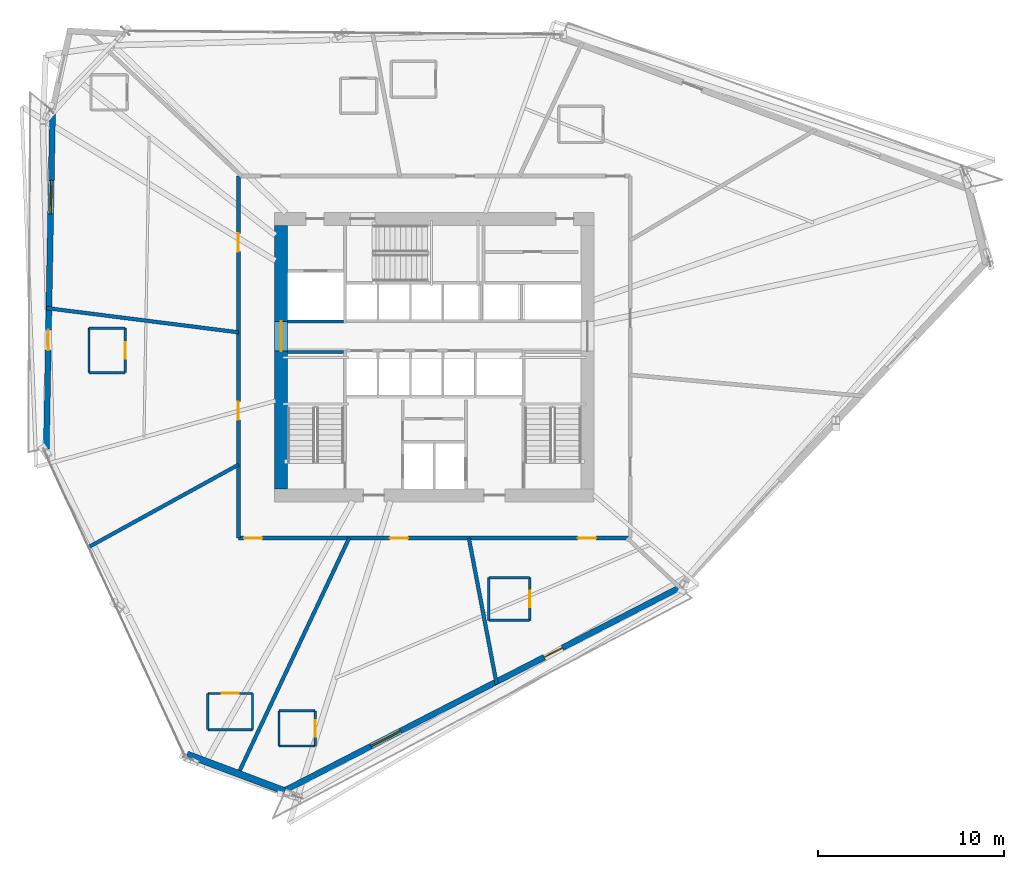
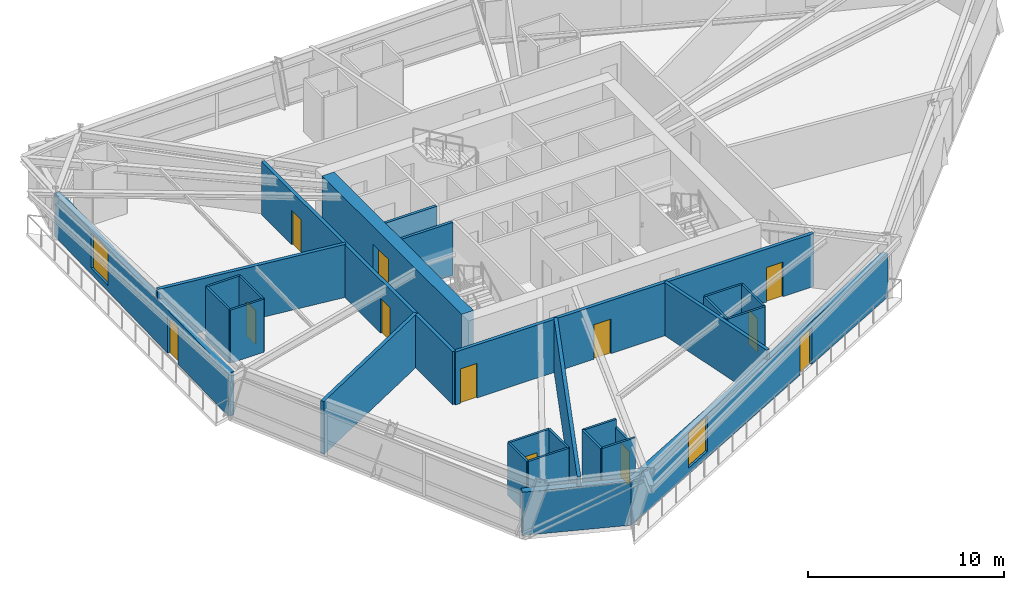
# One storey, part 15 of 22: 28 walls, 12 doors, 2 windows, 14 openings.
"""IFC4 building model written with IfcOpenShell, lengths in metres."""

import ifcopenshell
import ifcopenshell.guid

model = None  # the IFC model being written
_history = None  # IfcOwnerHistory: only IFC2X3 demands one
_inside = {}  # id of a spatial element -> (the spatial element, [elements in it])
_under = {}  # id of a project, library or spatial element -> (it, [spatial elements below it])
_declared = {}  # id of a project -> (the project, [libraries it declares])
_typed = {}  # id of a type object -> (the type object, [elements of that type])
_made_of = {}  # id of a material, layer set ... -> (it, [elements and type objects made of it])


def new_model(schema):
    """Start an empty IFC model of exactly this schema.

    Asked for "IFC4X3", IfcOpenShell would pick the latest addendum, in which some entities
    have other attributes; the version numbers below select the first issue.
    IFC2X3 requires an IfcOwnerHistory on every rooted entity: one is made here for all.
    """
    global model, _history
    if schema == "IFC4X3":
        model = ifcopenshell.file(schema_version=(4, 3, 0, 0))
    else:
        model = ifcopenshell.file(schema=schema)
    _inside.clear()
    _under.clear()
    _declared.clear()
    _typed.clear()
    _made_of.clear()
    _history = None
    if model.schema == "IFC2X3":
        org = make("IfcOrganization", Name="unknown")
        user = make(
            "IfcPersonAndOrganization",
            ThePerson=make("IfcPerson", FamilyName="unknown"),
            TheOrganization=org,
        )
        app = make(
            "IfcApplication",
            ApplicationDeveloper=org,
            Version="unknown",
            ApplicationFullName="unknown",
            ApplicationIdentifier="unknown",
        )
        _history = make(
            "IfcOwnerHistory",
            OwningUser=user,
            OwningApplication=app,
            ChangeAction="ADDED",
            CreationDate=0,
        )
    return model


def make(cls, **values):
    """One entity of the class cls with the attributes given. An attribute that is None is left unset."""
    return model.create_entity(
        cls, **{name: value for name, value in values.items() if value is not None}
    )


def rooted(cls, **values):
    """An entity with a GlobalId (a new one), such as an element, a storey or a relation."""
    return make(cls, GlobalId=ifcopenshell.guid.new(), OwnerHistory=_history, **values)


def si_unit(unit_type, name, prefix=None):
    """IfcSIUnit, for example si_unit("LENGTHUNIT", "METRE", prefix="MILLI")."""
    return make("IfcSIUnit", UnitType=unit_type, Prefix=prefix, Name=name)


def assignment(units):
    """IfcUnitAssignment: the units of a project."""
    return None if units is None else make("IfcUnitAssignment", Units=units)


def point(xyz):
    """IfcCartesianPoint."""
    return None if xyz is None else make("IfcCartesianPoint", Coordinates=xyz)


def direction(xyz):
    """IfcDirection."""
    return None if xyz is None else make("IfcDirection", DirectionRatios=xyz)


def frame(location, z_axis=None, x_axis=None):
    """IfcAxis2Placement3D, a coordinate frame: its origin and axes. An axis left out is left unset."""
    return make(
        "IfcAxis2Placement3D",
        Location=point(location),
        Axis=direction(z_axis),
        RefDirection=direction(x_axis),
    )


def frame_2d(location, x_axis=None):
    """IfcAxis2Placement2D, a coordinate frame in the plane: its origin and x axis."""
    return make(
        "IfcAxis2Placement2D", Location=point(location), RefDirection=direction(x_axis)
    )


def origin():
    """The frame at (0, 0, 0) with its axes left unset."""
    return frame((0.0, 0.0, 0.0))


def place(relative_to, where):
    """IfcLocalPlacement: puts the frame where relative to a parent placement (None: the world)."""
    return make(
        "IfcLocalPlacement", PlacementRelTo=relative_to, RelativePlacement=where
    )


def context(
    kind, dimensions, precision=None, world=None, true_north=None, identifier=None
):
    """IfcGeometricRepresentationContext, for example the 3D "Model" context."""
    return make(
        "IfcGeometricRepresentationContext",
        ContextIdentifier=identifier,
        ContextType=kind,
        CoordinateSpaceDimension=dimensions,
        Precision=precision,
        WorldCoordinateSystem=world,
        TrueNorth=true_north,
    )


def subcontext(parent, identifier, kind, view, scale=None):
    """IfcGeometricRepresentationSubContext, for example "Body" below "Model"."""
    return make(
        "IfcGeometricRepresentationSubContext",
        ContextIdentifier=identifier,
        ContextType=kind,
        ParentContext=parent,
        TargetScale=scale,
        TargetView=view,
    )


def project(units=None, contexts=None):
    """IfcProject with its units and contexts."""
    return rooted(
        "IfcProject",
        Name="project",
        RepresentationContexts=contexts,
        UnitsInContext=assignment(units),
    )


def spatial(cls, under=None, at=None, **own):
    """A site, building, storey or space (cls), placed at a placement, below another one or the project."""
    s = rooted(cls, ObjectPlacement=at, **own)
    if under is not None:
        _under.setdefault(under.id(), (under, []))[1].append(s)
    return s


def profile(cls, at=None, kind="AREA", **sizes):
    """A parametric profile (cls). Its sizes go by their IFC names, for example OverallWidth=200.0."""
    return make(cls, ProfileType=kind, Position=at, **sizes)


def rectangle(**sizes):
    """IfcRectangleProfileDef."""
    return profile("IfcRectangleProfileDef", **sizes)


def extrude(swept, where, along, depth):
    """IfcExtrudedAreaSolid: the profile swept, set in the frame where, extruded along a direction by depth."""
    return make(
        "IfcExtrudedAreaSolid",
        SweptArea=swept,
        Position=where,
        ExtrudedDirection=direction(along),
        Depth=depth,
    )


def shape(context_of_items, identifier, shape_type, items):
    """IfcShapeRepresentation: the items that make up one representation, for example the "Body"."""
    return make(
        "IfcShapeRepresentation",
        ContextOfItems=context_of_items,
        RepresentationIdentifier=identifier,
        RepresentationType=shape_type,
        Items=items,
    )


def source(mapping_origin, context_of_items, identifier, shape_type, items):
    """IfcRepresentationMap: a shape defined once, which mapped items show again and again."""
    return make(
        "IfcRepresentationMap",
        MappingOrigin=mapping_origin,
        MappedRepresentation=shape(context_of_items, identifier, shape_type, items),
    )


def transform(
    local_origin,
    x_axis=None,
    y_axis=None,
    z_axis=None,
    scale=None,
    scale2=None,
    scale3=None,
    uniform=True,
):
    """IfcCartesianTransformationOperator3D, or its non-uniform kind. x_axis, y_axis, z_axis: its Axis1, 2, 3."""
    if uniform:
        return make(
            "IfcCartesianTransformationOperator3D",
            Axis1=direction(x_axis),
            Axis2=direction(y_axis),
            LocalOrigin=point(local_origin),
            Scale=scale,
            Axis3=direction(z_axis),
        )
    return make(
        "IfcCartesianTransformationOperator3DnonUniform",
        Axis1=direction(x_axis),
        Axis2=direction(y_axis),
        LocalOrigin=point(local_origin),
        Scale=scale,
        Axis3=direction(z_axis),
        Scale2=scale2,
        Scale3=scale3,
    )


def mapped(mapping_source, mapping_target):
    """IfcMappedItem: shows the shape of a source again, moved by a transform."""
    return make(
        "IfcMappedItem", MappingSource=mapping_source, MappingTarget=mapping_target
    )


def material(Name=None, Category=None):
    """IfcMaterial."""
    return make("IfcMaterial", Name=Name, Category=Category)


def layer(
    of_material, thickness, ventilated=None, Name=None, Category=None, Priority=None
):
    """IfcMaterialLayer: one layer of a wall or slab, of a material (None: an air gap)."""
    return make(
        "IfcMaterialLayer",
        Material=of_material,
        LayerThickness=thickness,
        IsVentilated=ventilated,
        Name=Name,
        Category=Category,
        Priority=Priority,
    )


def layer_set(layers, Name=None):
    """IfcMaterialLayerSet."""
    return make("IfcMaterialLayerSet", MaterialLayers=layers, LayerSetName=Name)


def made_of(thing, what):
    """Note that an element or type object is made of a material, layer set ...; save() writes the relation."""
    if what is not None:
        _made_of.setdefault(what.id(), (what, []))[1].append(thing)
    return thing


def type_object(cls, material=None, **own):
    """A type object (cls), such as IfcWallType, which elements share."""
    return made_of(rooted(cls, **own), material)


def type_shapes(of_type, sources):
    """Give a type object the sources (RepresentationMaps) that its elements show as mapped items."""
    of_type.RepresentationMaps = sources


def element(
    cls,
    number,
    at=None,
    inside=None,
    cuts=None,
    type_object=None,
    material=None,
    context=None,
    identifier="Body",
    shape_type=None,
    held_by="IfcProductDefinitionShape",
    body=None,
    shapes=None,
    **own,
):
    """One element of the class cls, such as IfcWall. Its Tag is "e" and its number.

    at: its placement. inside: the storey or other place that contains it. cuts: it is an
    opening in that element (IfcRelVoidsElement). A single representation is given by context,
    identifier, shape_type and body (its items); several are given by shapes. held_by: the class
    of the entity that holds the representations. save() writes the other relations.
    """
    e = rooted(cls, Tag="e%d" % number, ObjectPlacement=at, **own)
    if body is not None:
        shapes = [shape(context, identifier, shape_type, body)]
    if shapes is not None:
        e.Representation = make(held_by, Representations=shapes)
    if inside is not None:
        _inside.setdefault(inside.id(), (inside, []))[1].append(e)
    if cuts is not None:
        rooted(
            "IfcRelVoidsElement", RelatingBuildingElement=cuts, RelatedOpeningElement=e
        )
    if type_object is not None:
        _typed.setdefault(type_object.id(), (type_object, []))[1].append(e)
    return made_of(e, material)


def fill(opening, filler):
    """IfcRelFillsElement: the door or window that sits in an opening."""
    return rooted(
        "IfcRelFillsElement",
        RelatingOpeningElement=opening,
        RelatedBuildingElement=filler,
    )


def aggregate(whole, parts):
    """IfcRelAggregates: a whole, such as a stair, and the parts it consists of."""
    return rooted("IfcRelAggregates", RelatingObject=whole, RelatedObjects=parts)


def save(model, path):
    """Write the relations noted so far, then the file.

    IfcRelAggregates (storeys below a building ...), IfcRelContainedInSpatialStructure (elements
    in a storey), IfcRelDefinesByType, IfcRelAssociatesMaterial and IfcRelDeclares: one each for
    every whole, place, type object, material and project.
    """
    for whole, parts in _under.values():
        aggregate(whole, parts)
    for where, things in _inside.values():
        rooted(
            "IfcRelContainedInSpatialStructure",
            RelatedElements=things,
            RelatingStructure=where,
        )
    for kind, things in _typed.values():
        rooted("IfcRelDefinesByType", RelatedObjects=things, RelatingType=kind)
    for what, things in _made_of.values():
        rooted("IfcRelAssociatesMaterial", RelatedObjects=things, RelatingMaterial=what)
    for by, libraries in _declared.values():
        rooted("IfcRelDeclares", RelatingContext=by, RelatedDefinitions=libraries)
    model.write(path)


model = new_model("IFC4")

# Units and contexts
model_context = context("Model", 3, precision=1e-05, world=origin(), true_north=direction((0.0, 1.0)))
body_context = subcontext(model_context, "Body", "Model", "MODEL_VIEW")
ifc_project = project(units=[si_unit("LENGTHUNIT", "METRE"), si_unit("AREAUNIT", "SQUARE_METRE"), si_unit("VOLUMEUNIT", "CUBIC_METRE"), si_unit("PLANEANGLEUNIT", "RADIAN"), si_unit("MASSUNIT", "GRAM", prefix="KILO")], contexts=[model_context])

# Site, building, storey
site_placement = place(None, origin())
site = spatial("IfcSite", under=ifc_project, at=site_placement, CompositionType="ELEMENT")
building_placement = place(site_placement, origin())
building = spatial("IfcBuilding", under=site, at=building_placement, Name="Olszyna Solenne Hotel", CompositionType="ELEMENT")
storey_placement = place(building_placement, frame((0.0, 0.0, 95.050048828125)))
storey = spatial("IfcBuildingStorey", under=building, at=storey_placement, Name="L24", CompositionType="ELEMENT", Elevation=95.050048828125)

# Wall, opening, door
ifc_material_1 = material(Name="Concrete C60/75", Category="concrete")
ifc_layer_1 = layer(ifc_material_1, 0.699951171875, Name="Concrete C60/75")
ifc_layer_set_1 = layer_set([ifc_layer_1], Name="Concrete C60/75")
wall_type_1 = type_object("IfcWallType", Name="WL-CR700", PredefinedType="SHEAR", material=ifc_layer_set_1)
wall_1_placement = place(storey_placement, frame((29.75, 19.5, 0.0), z_axis=(0.0, 0.0, 1.0), x_axis=(0.0, 1.0, 0.0)))
wall_1 = element("IfcWall", 1, at=wall_1_placement, inside=storey, type_object=wall_type_1, Name="Core shear wall WL-CR700 CRW-L24-W", PredefinedType="SHEAR", context=body_context, shape_type="SweptSolid", body=[
    extrude(rectangle(XDim=14.199951171875, YDim=0.699951171875, at=frame_2d((7.10009765625, 0.0))), origin(), (0.0, 0.0, 1.0), 3.300048828125),
])
opening_1_placement = place(wall_1_placement, frame((7.419921875, 0.0, 0.0)))
opening_1 = element("IfcOpeningElement", 2, at=opening_1_placement, cuts=wall_1, Name="Opening LHD-L24-W", PredefinedType="OPENING", context=body_context, shape_type="SweptSolid", body=[
    extrude(rectangle(XDim=1.60009765625, YDim=2.199951171875, at=frame_2d((0.800048828125, 1.10009765625))), frame((0.0, 0.35986328125, 0.0), z_axis=(0.0, -1.0, 0.0), x_axis=(1.0, 0.0, 0.0)), (0.0, 0.0, 1.0), 0.719970703125),
])
ifc_material_2 = material(Name="Timber hardwood", Category="wood")
door_type_1 = type_object("IfcDoorType", Name="DR-CR1", OperationType="DOUBLE_DOOR_SINGLE_SWING", PredefinedType="DOOR", material=ifc_material_2)
shared_shape_1 = source(origin(), body_context, "Body", "SweptSolid", [
    extrude(rectangle(XDim=1.60009765625, YDim=2.199951171875, at=frame_2d((0.800048828125, 1.10009765625))), frame((0.0, 0.02490234375, 0.0), z_axis=(0.0, -1.0, 0.0), x_axis=(1.0, 0.0, 0.0)), (0.0, 0.0, 1.0), 0.050048828125),
])
type_shapes(door_type_1, [shared_shape_1])
door_1_placement = place(opening_1_placement, origin())
door_1 = element("IfcDoor", 3, at=door_1_placement, inside=storey, type_object=door_type_1, Name="Passenger lift lobby West fire door LHD-L24-W", OperationType="DOUBLE_DOOR_SINGLE_SWING", OverallHeight=2.199951171875, OverallWidth=1.60009765625, PredefinedType="DOOR", context=body_context, shape_type="MappedRepresentation", body=[
    mapped(shared_shape_1, transform((0.0, 0.0, 0.0), x_axis=(1.0, 0.0, 0.0), y_axis=(0.0, 1.0, 0.0), z_axis=(0.0, 0.0, 1.0), scale=1.0)),
])
fill(opening_1, door_1)

# Wall, openings, door, window
ifc_material_3 = material(Name="Precast concrete C45/55", Category="concrete")
ifc_layer_2 = layer(ifc_material_3, 0.320068359375, Name="Precast concrete C45/55")
ifc_layer_set_2 = layer_set([ifc_layer_2], Name="Precast concrete C45/55")
wall_type_2 = type_object("IfcWallType", Name="WL-EX320", PredefinedType="SOLIDWALL", material=ifc_layer_set_2)
wall_2_placement = place(storey_placement, frame((51.2861328125, 14.216796875, 0.0), z_axis=(0.0, 0.0, 1.0), x_axis=(-0.889491175816, -0.456952347785, 0.0)))
wall_2 = element("IfcWall", 4, at=wall_2_placement, inside=storey, type_object=wall_type_2, Name="Exterior terracotta-precast frame wall WL-EX320 EW-L24-01", PredefinedType="SOLIDWALL", context=body_context, shape_type="SweptSolid", body=[
    extrude(rectangle(XDim=24.150634765625, YDim=0.320068359375, at=frame_2d((12.0751953125, 0.0))), origin(), (0.0, 0.0, 1.0), 2.69189453125),
])
opening_2_placement = place(wall_2_placement, frame((7.177978515625, 0.0, 0.0)))
opening_2 = element("IfcOpeningElement", 5, at=opening_2_placement, cuts=wall_2, Name="Opening LDG-L24-3", PredefinedType="OPENING", context=body_context, shape_type="SweptSolid", body=[
    extrude(rectangle(XDim=1.10009765625, YDim=2.300048828125, at=frame_2d((0.550048828125, 1.14990234375))), frame((0.0, 0.169921875, 0.0), z_axis=(0.0, -1.0, 0.0), x_axis=(1.0, 0.0, 0.0)), (0.0, 0.0, 1.0), 0.340087890625),
])
opening_3_placement = place(wall_2_placement, frame((16.970947265625, 0.0, 0.3720703125)))
opening_3 = element("IfcOpeningElement", 6, at=opening_3_placement, cuts=wall_2, Name="Opening WN-L24-127", PredefinedType="OPENING", context=body_context, shape_type="SweptSolid", body=[
    extrude(rectangle(XDim=1.800048828125, YDim=2.199951171875, at=frame_2d((0.89990234375, 1.10009765625))), frame((0.0, 0.169921875, 0.0), z_axis=(0.0, -1.0, 0.0), x_axis=(1.0, 0.0, 0.0)), (0.0, 0.0, 1.0), 0.340087890625),
])
ifc_material_4 = material(Name="Anodised bronze aluminium", Category="aluminium")
door_type_2 = type_object("IfcDoorType", Name="DR-LG1", OperationType="NOTDEFINED", PredefinedType="DOOR", material=ifc_material_4)
shared_shape_2 = source(origin(), body_context, "Body", "SweptSolid", [
    extrude(rectangle(XDim=1.10009765625, YDim=2.300048828125, at=frame_2d((0.550048828125, 1.14990234375))), frame((0.0, 0.02490234375, 0.0), z_axis=(0.0, -1.0, 0.0), x_axis=(1.0, 0.0, 0.0)), (0.0, 0.0, 1.0), 0.050048828125),
])
type_shapes(door_type_2, [shared_shape_2])
door_2_placement = place(opening_2_placement, origin())
door_2 = element("IfcDoor", 7, at=door_2_placement, inside=storey, type_object=door_type_2, Name="Exterior loggia balcony door DR-LG1 LDG-L24-3", OperationType="SINGLE_SWING_RIGHT", OverallHeight=2.300048828125, OverallWidth=1.10009765625, PredefinedType="DOOR", context=body_context, shape_type="MappedRepresentation", body=[
    mapped(shared_shape_2, transform((0.0, 0.0, 0.0), x_axis=(1.0, 0.0, 0.0), y_axis=(0.0, 1.0, 0.0), z_axis=(0.0, 0.0, 1.0), scale=1.0)),
])
fill(opening_2, door_2)
ifc_material_5 = material(Name="Low-E triple glazing", Category="glass")
window_type = type_object("IfcWindowType", Name="WN-HT1", PartitioningType="SINGLE_PANEL", PredefinedType="WINDOW", material=ifc_material_5)
shared_shape_3 = source(origin(), body_context, "Body", "SweptSolid", [
    extrude(rectangle(XDim=1.800048828125, YDim=2.199951171875, at=frame_2d((0.89990234375, 1.10009765625))), frame((0.0, 0.030029296875, 0.0), z_axis=(0.0, -1.0, 0.0), x_axis=(1.0, 0.0, 0.0)), (0.0, 0.0, 1.0), 0.06005859375),
])
type_shapes(window_type, [shared_shape_3])
window_1_placement = place(opening_3_placement, origin())
window_1 = element("IfcWindow", 8, at=window_1_placement, inside=storey, type_object=window_type, Name="Loggia room window WN-HT1 WN-L24-127", OverallHeight=2.199951171875, OverallWidth=1.800048828125, PartitioningType="SINGLE_PANEL", PredefinedType="WINDOW", context=body_context, shape_type="MappedRepresentation", body=[
    mapped(shared_shape_3, transform((0.0, 0.0, 0.0), x_axis=(1.0, 0.0, 0.0), y_axis=(0.0, 1.0, 0.0), z_axis=(0.0, 0.0, 1.0), scale=1.0)),
])
fill(opening_3, window_1)

wall_3_placement = place(storey_placement, frame((17.10107421875, 21.65576171875, 0.0), z_axis=(0.0, 0.0, 1.0), x_axis=(0.018423605201, 0.999830270982, 0.0)))
wall_3 = element("IfcWall", 9, at=wall_3_placement, inside=storey, type_object=wall_type_2, Name="Exterior terracotta-precast frame wall WL-EX320 EW-L24-04", PredefinedType="SOLIDWALL", context=body_context, shape_type="SweptSolid", body=[
    extrude(rectangle(XDim=18.326904296875, YDim=0.320068359375, at=frame_2d((9.16357421875, 0.0))), origin(), (0.0, 0.0, 1.0), 2.69189453125),
])
opening_4_placement = place(wall_3_placement, frame((5.31494140625, 0.0, 0.0)))
opening_4 = element("IfcOpeningElement", 10, at=opening_4_placement, cuts=wall_3, Name="Opening LDG-L24-2", PredefinedType="OPENING", context=body_context, shape_type="SweptSolid", body=[
    extrude(rectangle(XDim=1.10009765625, YDim=2.300048828125, at=frame_2d((0.550048828125, 1.14990234375))), frame((0.0, 0.169921875, 0.0), z_axis=(0.0, -1.0, 0.0), x_axis=(1.0, 0.0, 0.0)), (0.0, 0.0, 1.0), 0.340087890625),
])
opening_5_placement = place(wall_3_placement, frame((12.662109375, 0.0, 0.3720703125)))
opening_5 = element("IfcOpeningElement", 11, at=opening_5_placement, cuts=wall_3, Name="Opening WN-L24-128", PredefinedType="OPENING", context=body_context, shape_type="SweptSolid", body=[
    extrude(rectangle(XDim=1.800048828125, YDim=2.199951171875, at=frame_2d((0.89990234375, 1.10009765625))), frame((0.0, 0.169921875, 0.0), z_axis=(0.0, -1.0, 0.0), x_axis=(1.0, 0.0, 0.0)), (0.0, 0.0, 1.0), 0.340087890625),
])
door_3_placement = place(opening_4_placement, origin())
door_3 = element("IfcDoor", 12, at=door_3_placement, inside=storey, type_object=door_type_2, Name="Exterior loggia balcony door DR-LG1 LDG-L24-2", OperationType="SINGLE_SWING_LEFT", OverallHeight=2.300048828125, OverallWidth=1.10009765625, PredefinedType="DOOR", context=body_context, shape_type="MappedRepresentation", body=[
    mapped(shared_shape_2, transform((0.0, 0.0, 0.0), x_axis=(1.0, 0.0, 0.0), y_axis=(0.0, 1.0, 0.0), z_axis=(0.0, 0.0, 1.0), scale=1.0)),
])
fill(opening_4, door_3)
window_2_placement = place(opening_5_placement, origin())
window_2 = element("IfcWindow", 13, at=window_2_placement, inside=storey, type_object=window_type, Name="Loggia room window WN-HT1 WN-L24-128", OverallHeight=2.199951171875, OverallWidth=1.800048828125, PartitioningType="SINGLE_PANEL", PredefinedType="WINDOW", context=body_context, shape_type="MappedRepresentation", body=[
    mapped(shared_shape_3, transform((0.0, 0.0, 0.0), x_axis=(1.0, 0.0, 0.0), y_axis=(0.0, 1.0, 0.0), z_axis=(0.0, 0.0, 1.0), scale=1.0)),
])
fill(opening_5, window_2)

# Wall
ifc_material_6 = material(Name="Terracotta cladding on precast concrete C45/55", Category="masonry")
ifc_layer_3 = layer(ifc_material_6, 0.3798828125, Name="Terracotta cladding on precast concrete C45/55")
ifc_layer_set_3 = layer_set([ifc_layer_3], Name="Terracotta cladding on precast concrete C45/55")
wall_type_3 = type_object("IfcWallType", Name="WL-EX380", PredefinedType="SOLIDWALL", material=ifc_layer_set_3)
wall_4_placement = place(storey_placement, frame((29.9443359375, 3.216796875, 0.0), z_axis=(0.0, 0.0, 1.0), x_axis=(-0.936080825312, 0.351785003211, 0.0)))
element("IfcWall", 14, at=wall_4_placement, inside=storey, type_object=wall_type_3, Name="Exterior terracotta-precast frame wall WL-EX380 EW-L24-02", PredefinedType="SOLIDWALL", context=body_context, shape_type="SweptSolid", body=[
    extrude(rectangle(XDim=5.620849609375, YDim=0.3798828125, at=frame_2d((2.810546875, 0.0))), origin(), (0.0, 0.0, 1.0), 2.69189453125),
])

# Wall, opening, door
ifc_material_7 = material(Name="Acoustic gypsum partition", Category="gypsum")
ifc_layer_4 = layer(ifc_material_7, 0.125, Name="Acoustic gypsum partition")
ifc_layer_set_4 = layer_set([ifc_layer_4], Name="Acoustic gypsum partition")
wall_type_4 = type_object("IfcWallType", Name="WL-PT125", PredefinedType="PARTITIONING", material=ifc_layer_set_4)
wall_5_placement = place(storey_placement, frame((21.35009765625, 25.760009765625, 0.0), z_axis=(0.0, 0.0, 1.0), x_axis=(0.0, 1.0, 0.0)))
wall_5 = element("IfcWall", 15, at=wall_5_placement, inside=storey, type_object=wall_type_4, Name="Interior acoustic partition WL-PT125 PW-L24-1393", PredefinedType="PARTITIONING", context=body_context, shape_type="SweptSolid", body=[
    extrude(rectangle(XDim=2.39990234375, YDim=0.125, at=frame_2d((1.199951171875, 0.0))), origin(), (0.0, 0.0, 1.0), 3.300048828125),
])
opening_6_placement = place(wall_5_placement, frame((0.75, 0.0, 0.0)))
opening_6 = element("IfcOpeningElement", 16, at=opening_6_placement, cuts=wall_5, Name="Opening DR-L24-0325", PredefinedType="OPENING", context=body_context, shape_type="SweptSolid", body=[
    extrude(rectangle(XDim=0.89990234375, YDim=2.10009765625, at=frame_2d((0.449951171875, 1.050048828125))), frame((0.0, 0.072509765625, 0.0), z_axis=(0.0, -1.0, 0.0), x_axis=(1.0, 0.0, 0.0)), (0.0, 0.0, 1.0), 0.14501953125),
])
door_type_3 = type_object("IfcDoorType", Name="DR-WC1", OperationType="NOTDEFINED", PredefinedType="DOOR", material=ifc_material_2)
shared_shape_4 = source(origin(), body_context, "Body", "SweptSolid", [
    extrude(rectangle(XDim=0.89990234375, YDim=2.10009765625, at=frame_2d((0.449951171875, 1.050048828125))), frame((0.0, 0.02490234375, 0.0), z_axis=(0.0, -1.0, 0.0), x_axis=(1.0, 0.0, 0.0)), (0.0, 0.0, 1.0), 0.050048828125),
])
type_shapes(door_type_3, [shared_shape_4])
door_4_placement = place(opening_6_placement, origin())
door_4 = element("IfcDoor", 17, at=door_4_placement, inside=storey, type_object=door_type_3, Name="En-Suite Bathroom Door DR-L24-0325", OperationType="SINGLE_SWING_LEFT", OverallHeight=2.10009765625, OverallWidth=0.89990234375, PredefinedType="DOOR", context=body_context, shape_type="MappedRepresentation", body=[
    mapped(shared_shape_4, transform((0.0, 0.0, 0.0), x_axis=(1.0, 0.0, 0.0), y_axis=(0.0, 1.0, 0.0), z_axis=(0.0, 0.0, 1.0), scale=1.0)),
])
fill(opening_6, door_4)

# Walls
wall_6_placement = place(storey_placement, frame((21.35009765625, 28.159912109375, 0.0), z_axis=(0.0, 0.0, 1.0), x_axis=(-1.0, 0.0, 0.0)))
element("IfcWall", 18, at=wall_6_placement, inside=storey, type_object=wall_type_4, Name="Interior acoustic partition WL-PT125 PW-L24-1394", PredefinedType="PARTITIONING", context=body_context, shape_type="SweptSolid", body=[
    extrude(rectangle(XDim=1.9501953125, YDim=0.125, at=frame_2d((0.97509765625, 0.0))), origin(), (0.0, 0.0, 1.0), 3.300048828125),
])
wall_7_placement = place(storey_placement, frame((19.39990234375, 28.159912109375, 0.0), z_axis=(0.0, 0.0, 1.0), x_axis=(0.0, -1.0, 0.0)))
element("IfcWall", 19, at=wall_7_placement, inside=storey, type_object=wall_type_4, Name="Interior acoustic partition WL-PT125 PW-L24-1395", PredefinedType="PARTITIONING", context=body_context, shape_type="SweptSolid", body=[
    extrude(rectangle(XDim=2.39990234375, YDim=0.125, at=frame_2d((1.199951171875, 0.0))), origin(), (0.0, 0.0, 1.0), 3.300048828125),
])
wall_8_placement = place(storey_placement, frame((19.39990234375, 25.760009765625, 0.0), z_axis=(0.0, 0.0, 1.0), x_axis=(1.0, 0.0, 0.0)))
element("IfcWall", 20, at=wall_8_placement, inside=storey, type_object=wall_type_4, Name="Interior acoustic partition WL-PT125 PW-L24-1396", PredefinedType="PARTITIONING", context=body_context, shape_type="SweptSolid", body=[
    extrude(rectangle(XDim=1.9501953125, YDim=0.125, at=frame_2d((0.97509765625, 0.0))), origin(), (0.0, 0.0, 1.0), 3.300048828125),
])
wall_9_placement = place(storey_placement, frame((28.2041015625, 6.531005859375, 0.0), z_axis=(0.0, 0.0, 1.0), x_axis=(0.0, 1.0, 0.0)))
element("IfcWall", 21, at=wall_9_placement, inside=storey, type_object=wall_type_4, Name="Interior acoustic partition WL-PT125 PW-L24-1397", PredefinedType="PARTITIONING", context=body_context, shape_type="SweptSolid", body=[
    extrude(rectangle(XDim=1.949951171875, YDim=0.125, at=frame_2d((0.97509765625, 0.0))), origin(), (0.0, 0.0, 1.0), 3.300048828125),
])

# Wall, opening, door
wall_10_placement = place(storey_placement, frame((28.2041015625, 8.48095703125, 0.0), z_axis=(0.0, 0.0, 1.0), x_axis=(-1.0, 0.0, 0.0)))
wall_10 = element("IfcWall", 22, at=wall_10_placement, inside=storey, type_object=wall_type_4, Name="Interior acoustic partition WL-PT125 PW-L24-1398", PredefinedType="PARTITIONING", context=body_context, shape_type="SweptSolid", body=[
    extrude(rectangle(XDim=2.400146484375, YDim=0.125, at=frame_2d((1.2001953125, 0.0))), origin(), (0.0, 0.0, 1.0), 3.300048828125),
])
opening_7_placement = place(wall_10_placement, frame((0.75, 0.0, 0.0)))
opening_7 = element("IfcOpeningElement", 23, at=opening_7_placement, cuts=wall_10, Name="Opening DR-L24-0326", PredefinedType="OPENING", context=body_context, shape_type="SweptSolid", body=[
    extrude(rectangle(XDim=0.89990234375, YDim=2.10009765625, at=frame_2d((0.449951171875, 1.050048828125))), frame((0.0, 0.072509765625, 0.0), z_axis=(0.0, -1.0, 0.0), x_axis=(1.0, 0.0, 0.0)), (0.0, 0.0, 1.0), 0.14501953125),
])
door_5_placement = place(opening_7_placement, origin())
door_5 = element("IfcDoor", 24, at=door_5_placement, inside=storey, type_object=door_type_3, Name="En-Suite Bathroom Door DR-L24-0326", OperationType="SINGLE_SWING_RIGHT", OverallHeight=2.10009765625, OverallWidth=0.89990234375, PredefinedType="DOOR", context=body_context, shape_type="MappedRepresentation", body=[
    mapped(shared_shape_4, transform((0.0, 0.0, 0.0), x_axis=(1.0, 0.0, 0.0), y_axis=(0.0, 1.0, 0.0), z_axis=(0.0, 0.0, 1.0), scale=1.0)),
])
fill(opening_7, door_5)

# Walls
wall_11_placement = place(storey_placement, frame((25.803955078125, 8.48095703125, 0.0), z_axis=(0.0, 0.0, 1.0), x_axis=(0.0, -1.0, 0.0)))
element("IfcWall", 25, at=wall_11_placement, inside=storey, type_object=wall_type_4, Name="Interior acoustic partition WL-PT125 PW-L24-1399", PredefinedType="PARTITIONING", context=body_context, shape_type="SweptSolid", body=[
    extrude(rectangle(XDim=1.949951171875, YDim=0.125, at=frame_2d((0.97509765625, 0.0))), origin(), (0.0, 0.0, 1.0), 3.300048828125),
])
wall_12_placement = place(storey_placement, frame((25.803955078125, 6.531005859375, 0.0), z_axis=(0.0, 0.0, 1.0), x_axis=(1.0, 0.0, 0.0)))
element("IfcWall", 26, at=wall_12_placement, inside=storey, type_object=wall_type_4, Name="Interior acoustic partition WL-PT125 PW-L24-1400", PredefinedType="PARTITIONING", context=body_context, shape_type="SweptSolid", body=[
    extrude(rectangle(XDim=2.400146484375, YDim=0.125, at=frame_2d((1.2001953125, 0.0))), origin(), (0.0, 0.0, 1.0), 3.300048828125),
])

# Wall, opening, door
wall_13_placement = place(storey_placement, frame((31.5849609375, 5.64794921875, 0.0), z_axis=(0.0, 0.0, 1.0), x_axis=(0.0, 1.0, 0.0)))
wall_13 = element("IfcWall", 27, at=wall_13_placement, inside=storey, type_object=wall_type_4, Name="Interior acoustic partition WL-PT125 PW-L24-1401", PredefinedType="PARTITIONING", context=body_context, shape_type="SweptSolid", body=[
    extrude(rectangle(XDim=1.900146484375, YDim=0.125, at=frame_2d((0.9501953125, 0.0))), origin(), (0.0, 0.0, 1.0), 2.794921875),
])
opening_8_placement = place(wall_13_placement, frame((0.5, 0.0, 0.0)))
opening_8 = element("IfcOpeningElement", 28, at=opening_8_placement, cuts=wall_13, Name="Opening DR-L24-0327", PredefinedType="OPENING", context=body_context, shape_type="SweptSolid", body=[
    extrude(rectangle(XDim=0.89990234375, YDim=2.10009765625, at=frame_2d((0.449951171875, 1.050048828125))), frame((0.0, 0.072509765625, 0.0), z_axis=(0.0, -1.0, 0.0), x_axis=(1.0, 0.0, 0.0)), (0.0, 0.0, 1.0), 0.14501953125),
])
door_6_placement = place(opening_8_placement, origin())
door_6 = element("IfcDoor", 29, at=door_6_placement, inside=storey, type_object=door_type_3, Name="En-Suite Bathroom Door DR-L24-0327", OperationType="SINGLE_SWING_LEFT", OverallHeight=2.10009765625, OverallWidth=0.89990234375, PredefinedType="DOOR", context=body_context, shape_type="MappedRepresentation", body=[
    mapped(shared_shape_4, transform((0.0, 0.0, 0.0), x_axis=(1.0, 0.0, 0.0), y_axis=(0.0, 1.0, 0.0), z_axis=(0.0, 0.0, 1.0), scale=1.0)),
])
fill(opening_8, door_6)

# Walls
wall_14_placement = place(storey_placement, frame((31.5849609375, 7.548095703125, 0.0), z_axis=(0.0, 0.0, 1.0), x_axis=(-1.0, 0.0, 0.0)))
element("IfcWall", 30, at=wall_14_placement, inside=storey, type_object=wall_type_4, Name="Interior acoustic partition WL-PT125 PW-L24-1402", PredefinedType="PARTITIONING", context=body_context, shape_type="SweptSolid", body=[
    extrude(rectangle(XDim=1.949951171875, YDim=0.125, at=frame_2d((0.97509765625, 0.0))), origin(), (0.0, 0.0, 1.0), 3.300048828125),
])
wall_15_placement = place(storey_placement, frame((29.635009765625, 7.548095703125, 0.0), z_axis=(0.0, 0.0, 1.0), x_axis=(0.0, -1.0, 0.0)))
element("IfcWall", 31, at=wall_15_placement, inside=storey, type_object=wall_type_4, Name="Interior acoustic partition WL-PT125 PW-L24-1403", PredefinedType="PARTITIONING", context=body_context, shape_type="SweptSolid", body=[
    extrude(rectangle(XDim=1.900146484375, YDim=0.125, at=frame_2d((0.9501953125, 0.0))), origin(), (0.0, 0.0, 1.0), 3.300048828125),
])
wall_16_placement = place(storey_placement, frame((29.635009765625, 5.64794921875, 0.0), z_axis=(0.0, 0.0, 1.0), x_axis=(1.0, 0.0, 0.0)))
element("IfcWall", 32, at=wall_16_placement, inside=storey, type_object=wall_type_4, Name="Interior acoustic partition WL-PT125 PW-L24-1404", PredefinedType="PARTITIONING", context=body_context, shape_type="SweptSolid", body=[
    extrude(rectangle(XDim=1.949951171875, YDim=0.125, at=frame_2d((0.97509765625, 0.0))), origin(), (0.0, 0.0, 1.0), 3.300048828125),
])

# Wall, opening, door
wall_17_placement = place(storey_placement, frame((43.137939453125, 12.416015625, 0.0), z_axis=(0.0, 0.0, 1.0), x_axis=(0.0, 1.0, 0.0)))
wall_17 = element("IfcWall", 33, at=wall_17_placement, inside=storey, type_object=wall_type_4, Name="Interior acoustic partition WL-PT125 PW-L24-1405", PredefinedType="PARTITIONING", context=body_context, shape_type="SweptSolid", body=[
    extrude(rectangle(XDim=2.300048828125, YDim=0.125, at=frame_2d((1.14990234375, 0.0))), origin(), (0.0, 0.0, 1.0), 3.300048828125),
])
opening_9_placement = place(wall_17_placement, frame((0.699951171875, 0.0, 0.0)))
opening_9 = element("IfcOpeningElement", 34, at=opening_9_placement, cuts=wall_17, Name="Opening DR-L24-0328", PredefinedType="OPENING", context=body_context, shape_type="SweptSolid", body=[
    extrude(rectangle(XDim=0.89990234375, YDim=2.10009765625, at=frame_2d((0.449951171875, 1.050048828125))), frame((0.0, 0.072509765625, 0.0), z_axis=(0.0, -1.0, 0.0), x_axis=(1.0, 0.0, 0.0)), (0.0, 0.0, 1.0), 0.14501953125),
])
door_7_placement = place(opening_9_placement, origin())
door_7 = element("IfcDoor", 35, at=door_7_placement, inside=storey, type_object=door_type_3, Name="En-Suite Bathroom Door DR-L24-0328", OperationType="SINGLE_SWING_LEFT", OverallHeight=2.10009765625, OverallWidth=0.89990234375, PredefinedType="DOOR", context=body_context, shape_type="MappedRepresentation", body=[
    mapped(shared_shape_4, transform((0.0, 0.0, 0.0), x_axis=(1.0, 0.0, 0.0), y_axis=(0.0, 1.0, 0.0), z_axis=(0.0, 0.0, 1.0), scale=1.0)),
])
fill(opening_9, door_7)

# Walls
wall_18_placement = place(storey_placement, frame((43.137939453125, 14.716064453125, 0.0), z_axis=(0.0, 0.0, 1.0), x_axis=(-1.0, 0.0, 0.0)))
element("IfcWall", 36, at=wall_18_placement, inside=storey, type_object=wall_type_4, Name="Interior acoustic partition WL-PT125 PW-L24-1406", PredefinedType="PARTITIONING", context=body_context, shape_type="SweptSolid", body=[
    extrude(rectangle(XDim=2.199951171875, YDim=0.125, at=frame_2d((1.10009765625, 0.0))), origin(), (0.0, 0.0, 1.0), 3.300048828125),
])
wall_19_placement = place(storey_placement, frame((40.93798828125, 14.716064453125, 0.0), z_axis=(0.0, 0.0, 1.0), x_axis=(0.0, -1.0, 0.0)))
element("IfcWall", 37, at=wall_19_placement, inside=storey, type_object=wall_type_4, Name="Interior acoustic partition WL-PT125 PW-L24-1407", PredefinedType="PARTITIONING", context=body_context, shape_type="SweptSolid", body=[
    extrude(rectangle(XDim=2.300048828125, YDim=0.125, at=frame_2d((1.14990234375, 0.0))), origin(), (0.0, 0.0, 1.0), 3.300048828125),
])
wall_20_placement = place(storey_placement, frame((40.93798828125, 12.416015625, 0.0), z_axis=(0.0, 0.0, 1.0), x_axis=(1.0, 0.0, 0.0)))
element("IfcWall", 38, at=wall_20_placement, inside=storey, type_object=wall_type_4, Name="Interior acoustic partition WL-PT125 PW-L24-1408", PredefinedType="PARTITIONING", context=body_context, shape_type="SweptSolid", body=[
    extrude(rectangle(XDim=2.199951171875, YDim=0.125, at=frame_2d((1.10009765625, 0.0))), origin(), (0.0, 0.0, 1.0), 3.300048828125),
])
ifc_layer_5 = layer(ifc_material_7, 0.159912109375, Name="Acoustic gypsum partition")
ifc_layer_set_5 = layer_set([ifc_layer_5], Name="Acoustic gypsum partition")
wall_type_5 = type_object("IfcWallType", Name="WL-PT160", PredefinedType="PARTITIONING", material=ifc_layer_set_5)
for number, where, z_axis, x_axis, name in (
    (39, (30.10009765625, 26.8798828125, 0.0), (0.0, 0.0, 1.0), (1.0, 0.0, 0.0), "Core shaft compartment wall CW-L24-ST1N"),
    (40, (30.10009765625, 28.52001953125, 0.0), (0.0, 0.0, 1.0), (1.0, 0.0, 0.0), "Core shaft compartment wall CW-L24-SV1S"),
):
    element("IfcWall", number, at=place(storey_placement, frame(where, z_axis=z_axis, x_axis=x_axis)), inside=storey, type_object=wall_type_5, Name=name, PredefinedType="PARTITIONING", context=body_context, shape_type="SweptSolid", body=[
        extrude(rectangle(XDim=3.02001953125, YDim=0.159912109375, at=frame_2d((1.510009765625, 0.0))), origin(), (0.0, 0.0, 1.0), 3.300048828125),
    ])
ifc_layer_6 = layer(ifc_material_7, 0.199951171875, Name="Acoustic gypsum partition")
ifc_layer_set_6 = layer_set([ifc_layer_6], Name="Acoustic gypsum partition")
wall_type_6 = type_object("IfcWallType", Name="WL-PT200", PredefinedType="PARTITIONING", material=ifc_layer_set_6)
wall_21_placement = place(storey_placement, frame((27.449951171875, 27.932861328125, 0.0), z_axis=(0.0, 0.0, 1.0), x_axis=(-0.992114844566, 0.125332099609, 0.0)))
element("IfcWall", 41, at=wall_21_placement, inside=storey, type_object=wall_type_6, Name="Interior acoustic partition WL-PT200 PW-L24-1374", PredefinedType="PARTITIONING", context=body_context, shape_type="SweptSolid", body=[
    extrude(rectangle(XDim=10.421630859375, YDim=0.199951171875, at=frame_2d((5.2109375, 0.0))), origin(), (0.0, 0.0, 1.0), 3.300048828125),
])
wall_22_placement = place(storey_placement, frame((27.449951171875, 20.800048828125, 0.0), z_axis=(0.0, 0.0, 1.0), x_axis=(-0.876309701185, -0.481748178625, 0.0)))
element("IfcWall", 42, at=wall_22_placement, inside=storey, type_object=wall_type_6, Name="Interior acoustic partition WL-PT200 PW-L24-1375", PredefinedType="PARTITIONING", context=body_context, shape_type="SweptSolid", body=[
    extrude(rectangle(XDim=9.17626953125, YDim=0.199951171875, at=frame_2d((4.588134765625, 0.0))), origin(), (0.0, 0.0, 1.0), 3.300048828125),
])
wall_23_placement = place(storey_placement, frame((33.412109375, 16.85009765625, 0.0), z_axis=(0.0, 0.0, 1.0), x_axis=(-0.425776318431, -0.904828451511, 0.0)))
element("IfcWall", 43, at=wall_23_placement, inside=storey, type_object=wall_type_6, Name="Interior acoustic partition WL-PT200 PW-L24-1376", PredefinedType="PARTITIONING", context=body_context, shape_type="SweptSolid", body=[
    extrude(rectangle(XDim=14.187744140625, YDim=0.199951171875, at=frame_2d((7.09375, 0.0))), origin(), (0.0, 0.0, 1.0), 3.300048828125),
])
wall_24_placement = place(storey_placement, frame((39.85986328125, 16.85009765625, 0.0), z_axis=(0.0, 0.0, 1.0), x_axis=(0.187379297004, -0.982287635601, 0.0)))
element("IfcWall", 44, at=wall_24_placement, inside=storey, type_object=wall_type_6, Name="Interior acoustic partition WL-PT200 PW-L24-1377", PredefinedType="PARTITIONING", context=body_context, shape_type="SweptSolid", body=[
    extrude(rectangle(XDim=8.01953125, YDim=0.199951171875, at=frame_2d((4.009765625, 0.0))), origin(), (0.0, 0.0, 1.0), 3.300048828125),
])

# Wall, openings, doors
wall_25_placement = place(storey_placement, frame((27.449951171875, 16.85009765625, 0.0), z_axis=(0.0, 0.0, 1.0), x_axis=(1.0, 0.0, 0.0)))
wall_25 = element("IfcWall", 45, at=wall_25_placement, inside=storey, type_object=wall_type_6, Name="Interior acoustic partition WL-PT200 PW-L24-1413", PredefinedType="PARTITIONING", context=body_context, shape_type="SweptSolid", body=[
    extrude(rectangle(XDim=21.10009765625, YDim=0.199951171875, at=frame_2d((10.550048828125, 0.0))), origin(), (0.0, 0.0, 1.0), 3.300048828125),
])
opening_10_placement = place(wall_25_placement, frame((0.300048828125, 0.0, 0.0)))
opening_10 = element("IfcOpeningElement", 46, at=opening_10_placement, cuts=wall_25, Name="Opening DR-L24-0330", PredefinedType="OPENING", context=body_context, shape_type="SweptSolid", body=[
    extrude(rectangle(XDim=0.97998046875, YDim=2.14990234375, at=frame_2d((0.489990234375, 1.074951171875))), frame((0.0, 0.10986328125, 0.0), z_axis=(0.0, -1.0, 0.0), x_axis=(1.0, 0.0, 0.0)), (0.0, 0.0, 1.0), 0.219970703125),
])
opening_11_placement = place(wall_25_placement, frame((8.159912109375, 0.0, 0.0)))
opening_11 = element("IfcOpeningElement", 47, at=opening_11_placement, cuts=wall_25, Name="Opening DR-L24-0331", PredefinedType="OPENING", context=body_context, shape_type="SweptSolid", body=[
    extrude(rectangle(XDim=0.97998046875, YDim=2.14990234375, at=frame_2d((0.489990234375, 1.074951171875))), frame((0.0, 0.10986328125, 0.0), z_axis=(0.0, -1.0, 0.0), x_axis=(1.0, 0.0, 0.0)), (0.0, 0.0, 1.0), 0.219970703125),
])
opening_12_placement = place(wall_25_placement, frame((18.285888671875, 0.0, 0.0)))
opening_12 = element("IfcOpeningElement", 48, at=opening_12_placement, cuts=wall_25, Name="Opening DR-L24-0332", PredefinedType="OPENING", context=body_context, shape_type="SweptSolid", body=[
    extrude(rectangle(XDim=0.97998046875, YDim=2.14990234375, at=frame_2d((0.489990234375, 1.074951171875))), frame((0.0, 0.10986328125, 0.0), z_axis=(0.0, -1.0, 0.0), x_axis=(1.0, 0.0, 0.0)), (0.0, 0.0, 1.0), 0.219970703125),
])
door_type_4 = type_object("IfcDoorType", Name="DR-RM1", OperationType="NOTDEFINED", PredefinedType="DOOR", material=ifc_material_2)
shared_shape_5 = source(origin(), body_context, "Body", "SweptSolid", [
    extrude(rectangle(XDim=0.97998046875, YDim=2.14990234375, at=frame_2d((0.489990234375, 1.074951171875))), frame((0.0, 0.02490234375, 0.0), z_axis=(0.0, -1.0, 0.0), x_axis=(1.0, 0.0, 0.0)), (0.0, 0.0, 1.0), 0.050048828125),
])
type_shapes(door_type_4, [shared_shape_5])
door_8_placement = place(opening_10_placement, origin())
door_8 = element("IfcDoor", 49, at=door_8_placement, inside=storey, type_object=door_type_4, Name="Deluxe Hotel Guestroom Entrance Door DR-L24-0330", OperationType="SINGLE_SWING_LEFT", OverallHeight=2.14990234375, OverallWidth=0.97998046875, PredefinedType="DOOR", context=body_context, shape_type="MappedRepresentation", body=[
    mapped(shared_shape_5, transform((0.0, 0.0, 0.0), x_axis=(1.0, 0.0, 0.0), y_axis=(0.0, 1.0, 0.0), z_axis=(0.0, 0.0, 1.0), scale=1.0)),
])
fill(opening_10, door_8)
door_9_placement = place(opening_11_placement, origin())
door_9 = element("IfcDoor", 50, at=door_9_placement, inside=storey, type_object=door_type_4, Name="Deluxe Hotel Guestroom Entrance Door DR-L24-0331", OperationType="SINGLE_SWING_RIGHT", OverallHeight=2.14990234375, OverallWidth=0.97998046875, PredefinedType="DOOR", context=body_context, shape_type="MappedRepresentation", body=[
    mapped(shared_shape_5, transform((0.0, 0.0, 0.0), x_axis=(1.0, 0.0, 0.0), y_axis=(0.0, 1.0, 0.0), z_axis=(0.0, 0.0, 1.0), scale=1.0)),
])
fill(opening_11, door_9)
door_10_placement = place(opening_12_placement, origin())
door_10 = element("IfcDoor", 51, at=door_10_placement, inside=storey, type_object=door_type_4, Name="Deluxe Hotel Guestroom Entrance Door DR-L24-0332", OperationType="SINGLE_SWING_LEFT", OverallHeight=2.14990234375, OverallWidth=0.97998046875, PredefinedType="DOOR", context=body_context, shape_type="MappedRepresentation", body=[
    mapped(shared_shape_5, transform((0.0, 0.0, 0.0), x_axis=(1.0, 0.0, 0.0), y_axis=(0.0, 1.0, 0.0), z_axis=(0.0, 0.0, 1.0), scale=1.0)),
])
fill(opening_12, door_10)

wall_26_placement = place(storey_placement, frame((27.449951171875, 16.85009765625, 0.0), z_axis=(0.0, 0.0, 1.0), x_axis=(0.0, 1.0, 0.0)))
wall_26 = element("IfcWall", 52, at=wall_26_placement, inside=storey, type_object=wall_type_6, Name="Interior acoustic partition WL-PT200 PW-L24-1414", PredefinedType="PARTITIONING", context=body_context, shape_type="SweptSolid", body=[
    extrude(rectangle(XDim=19.5, YDim=0.199951171875, at=frame_2d((9.75, 0.0))), origin(), (0.0, 0.0, 1.0), 3.300048828125),
])
opening_13_placement = place(wall_26_placement, frame((15.43505859375, 0.0, 0.0)))
opening_13 = element("IfcOpeningElement", 53, at=opening_13_placement, cuts=wall_26, Name="Opening DR-L24-0333", PredefinedType="OPENING", context=body_context, shape_type="SweptSolid", body=[
    extrude(rectangle(XDim=0.97998046875, YDim=2.14990234375, at=frame_2d((0.489990234375, 1.074951171875))), frame((0.0, 0.10986328125, 0.0), z_axis=(0.0, -1.0, 0.0), x_axis=(1.0, 0.0, 0.0)), (0.0, 0.0, 1.0), 0.219970703125),
])
opening_14_placement = place(wall_26_placement, frame((6.364990234375, 0.0, 0.0)))
opening_14 = element("IfcOpeningElement", 54, at=opening_14_placement, cuts=wall_26, Name="Opening DR-L24-0334", PredefinedType="OPENING", context=body_context, shape_type="SweptSolid", body=[
    extrude(rectangle(XDim=0.97998046875, YDim=2.14990234375, at=frame_2d((0.489990234375, 1.074951171875))), frame((0.0, 0.10986328125, 0.0), z_axis=(0.0, -1.0, 0.0), x_axis=(1.0, 0.0, 0.0)), (0.0, 0.0, 1.0), 0.219970703125),
])
door_11_placement = place(opening_13_placement, origin())
door_11 = element("IfcDoor", 55, at=door_11_placement, inside=storey, type_object=door_type_4, Name="Deluxe Hotel Guestroom Entrance Door DR-L24-0333", OperationType="SINGLE_SWING_LEFT", OverallHeight=2.14990234375, OverallWidth=0.97998046875, PredefinedType="DOOR", context=body_context, shape_type="MappedRepresentation", body=[
    mapped(shared_shape_5, transform((0.0, 0.0, 0.0), x_axis=(1.0, 0.0, 0.0), y_axis=(0.0, 1.0, 0.0), z_axis=(0.0, 0.0, 1.0), scale=1.0)),
])
fill(opening_13, door_11)
door_12_placement = place(opening_14_placement, origin())
door_12 = element("IfcDoor", 56, at=door_12_placement, inside=storey, type_object=door_type_4, Name="Deluxe Hotel Guestroom Entrance Door DR-L24-0334", OperationType="SINGLE_SWING_RIGHT", OverallHeight=2.14990234375, OverallWidth=0.97998046875, PredefinedType="DOOR", context=body_context, shape_type="MappedRepresentation", body=[
    mapped(shared_shape_5, transform((0.0, 0.0, 0.0), x_axis=(1.0, 0.0, 0.0), y_axis=(0.0, 1.0, 0.0), z_axis=(0.0, 0.0, 1.0), scale=1.0)),
])
fill(opening_14, door_12)

save(model, "model.ifc")
